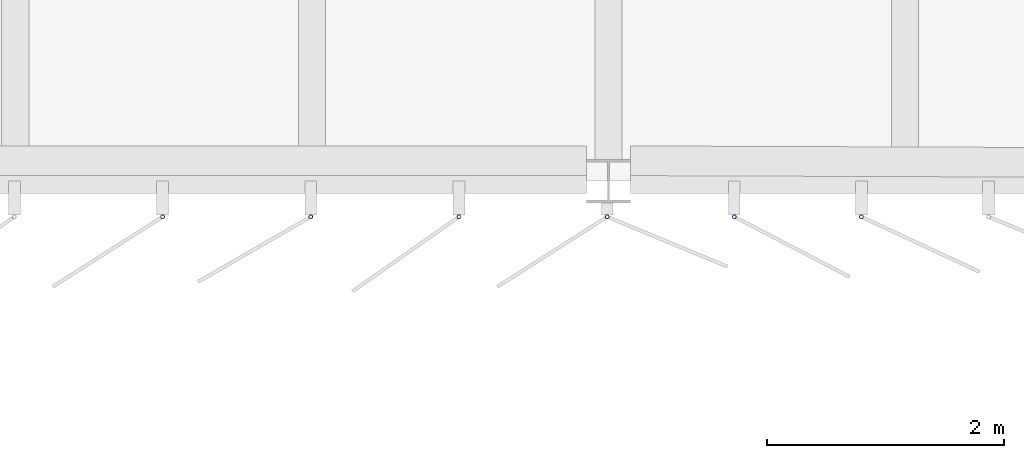
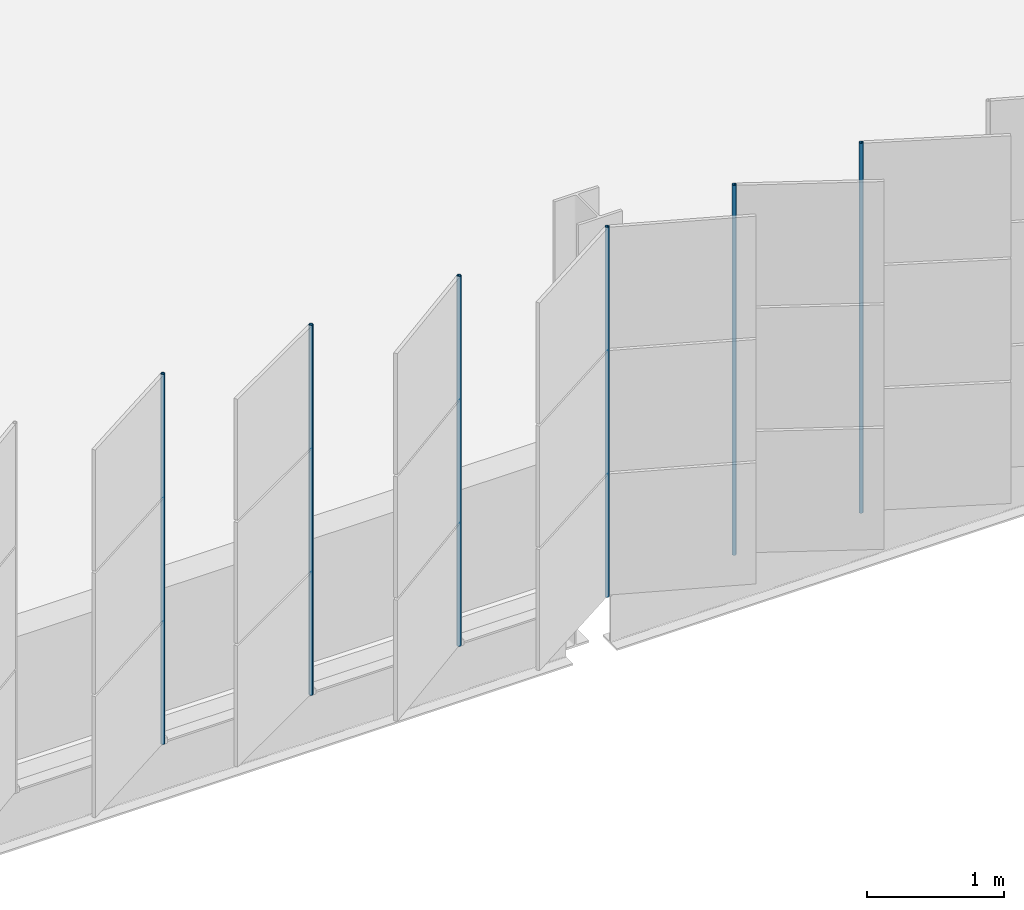
# One storey, part 81 of 199: 6 discrete accessories.
"""IFC4 building model written with IfcOpenShell, lengths in metres."""

import ifcopenshell
import ifcopenshell.guid

model = None  # the IFC model being written
_history = None  # IfcOwnerHistory: only IFC2X3 demands one
_inside = {}  # id of a spatial element -> (the spatial element, [elements in it])
_under = {}  # id of a project, library or spatial element -> (it, [spatial elements below it])
_declared = {}  # id of a project -> (the project, [libraries it declares])
_typed = {}  # id of a type object -> (the type object, [elements of that type])
_made_of = {}  # id of a material, layer set ... -> (it, [elements and type objects made of it])


def new_model(schema):
    """Start an empty IFC model of exactly this schema.

    Asked for "IFC4X3", IfcOpenShell would pick the latest addendum, in which some entities
    have other attributes; the version numbers below select the first issue.
    IFC2X3 requires an IfcOwnerHistory on every rooted entity: one is made here for all.
    """
    global model, _history
    if schema == "IFC4X3":
        model = ifcopenshell.file(schema_version=(4, 3, 0, 0))
    else:
        model = ifcopenshell.file(schema=schema)
    _inside.clear()
    _under.clear()
    _declared.clear()
    _typed.clear()
    _made_of.clear()
    _history = None
    if model.schema == "IFC2X3":
        org = make("IfcOrganization", Name="unknown")
        user = make(
            "IfcPersonAndOrganization",
            ThePerson=make("IfcPerson", FamilyName="unknown"),
            TheOrganization=org,
        )
        app = make(
            "IfcApplication",
            ApplicationDeveloper=org,
            Version="unknown",
            ApplicationFullName="unknown",
            ApplicationIdentifier="unknown",
        )
        _history = make(
            "IfcOwnerHistory",
            OwningUser=user,
            OwningApplication=app,
            ChangeAction="ADDED",
            CreationDate=0,
        )
    return model


def make(cls, **values):
    """One entity of the class cls with the attributes given. An attribute that is None is left unset."""
    return model.create_entity(
        cls, **{name: value for name, value in values.items() if value is not None}
    )


def rooted(cls, **values):
    """An entity with a GlobalId (a new one), such as an element, a storey or a relation."""
    return make(cls, GlobalId=ifcopenshell.guid.new(), OwnerHistory=_history, **values)


def si_unit(unit_type, name, prefix=None):
    """IfcSIUnit, for example si_unit("LENGTHUNIT", "METRE", prefix="MILLI")."""
    return make("IfcSIUnit", UnitType=unit_type, Prefix=prefix, Name=name)


def assignment(units):
    """IfcUnitAssignment: the units of a project."""
    return None if units is None else make("IfcUnitAssignment", Units=units)


def point(xyz):
    """IfcCartesianPoint."""
    return None if xyz is None else make("IfcCartesianPoint", Coordinates=xyz)


def direction(xyz):
    """IfcDirection."""
    return None if xyz is None else make("IfcDirection", DirectionRatios=xyz)


def frame(location, z_axis=None, x_axis=None):
    """IfcAxis2Placement3D, a coordinate frame: its origin and axes. An axis left out is left unset."""
    return make(
        "IfcAxis2Placement3D",
        Location=point(location),
        Axis=direction(z_axis),
        RefDirection=direction(x_axis),
    )


def frame_2d(location, x_axis=None):
    """IfcAxis2Placement2D, a coordinate frame in the plane: its origin and x axis."""
    return make(
        "IfcAxis2Placement2D", Location=point(location), RefDirection=direction(x_axis)
    )


def origin():
    """The frame at (0, 0, 0) with its axes left unset."""
    return frame((0.0, 0.0, 0.0))


def origin_2d():
    """The frame at (0, 0) in the plane with its x axis left unset."""
    return frame_2d((0.0, 0.0))


def place(relative_to, where):
    """IfcLocalPlacement: puts the frame where relative to a parent placement (None: the world)."""
    return make(
        "IfcLocalPlacement", PlacementRelTo=relative_to, RelativePlacement=where
    )


def context(
    kind, dimensions, precision=None, world=None, true_north=None, identifier=None
):
    """IfcGeometricRepresentationContext, for example the 3D "Model" context."""
    return make(
        "IfcGeometricRepresentationContext",
        ContextIdentifier=identifier,
        ContextType=kind,
        CoordinateSpaceDimension=dimensions,
        Precision=precision,
        WorldCoordinateSystem=world,
        TrueNorth=true_north,
    )


def subcontext(parent, identifier, kind, view, scale=None):
    """IfcGeometricRepresentationSubContext, for example "Body" below "Model"."""
    return make(
        "IfcGeometricRepresentationSubContext",
        ContextIdentifier=identifier,
        ContextType=kind,
        ParentContext=parent,
        TargetScale=scale,
        TargetView=view,
    )


def project(units=None, contexts=None):
    """IfcProject with its units and contexts."""
    return rooted(
        "IfcProject",
        Name="project",
        RepresentationContexts=contexts,
        UnitsInContext=assignment(units),
    )


def spatial(cls, under=None, at=None, **own):
    """A site, building, storey or space (cls), placed at a placement, below another one or the project."""
    s = rooted(cls, ObjectPlacement=at, **own)
    if under is not None:
        _under.setdefault(under.id(), (under, []))[1].append(s)
    return s


def profile(cls, at=None, kind="AREA", **sizes):
    """A parametric profile (cls). Its sizes go by their IFC names, for example OverallWidth=200.0."""
    return make(cls, ProfileType=kind, Position=at, **sizes)


def hollow_circle(**sizes):
    """IfcCircleHollowProfileDef."""
    return profile("IfcCircleHollowProfileDef", **sizes)


def extrude(swept, where, along, depth):
    """IfcExtrudedAreaSolid: the profile swept, set in the frame where, extruded along a direction by depth."""
    return make(
        "IfcExtrudedAreaSolid",
        SweptArea=swept,
        Position=where,
        ExtrudedDirection=direction(along),
        Depth=depth,
    )


def shape(context_of_items, identifier, shape_type, items):
    """IfcShapeRepresentation: the items that make up one representation, for example the "Body"."""
    return make(
        "IfcShapeRepresentation",
        ContextOfItems=context_of_items,
        RepresentationIdentifier=identifier,
        RepresentationType=shape_type,
        Items=items,
    )


def material(Name=None, Category=None):
    """IfcMaterial."""
    return make("IfcMaterial", Name=Name, Category=Category)


def material_profile(
    of_material, cross_section, Name=None, Category=None, Priority=None
):
    """IfcMaterialProfile: a cross section and its material."""
    return make(
        "IfcMaterialProfile",
        Name=Name,
        Material=of_material,
        Profile=cross_section,
        Priority=Priority,
        Category=Category,
    )


def profile_set(profiles, Name=None, composite=None):
    """IfcMaterialProfileSet."""
    return make(
        "IfcMaterialProfileSet",
        Name=Name,
        MaterialProfiles=profiles,
        CompositeProfile=composite,
    )


def made_of(thing, what):
    """Note that an element or type object is made of a material, layer set ...; save() writes the relation."""
    if what is not None:
        _made_of.setdefault(what.id(), (what, []))[1].append(thing)
    return thing


def type_object(cls, material=None, **own):
    """A type object (cls), such as IfcWallType, which elements share."""
    return made_of(rooted(cls, **own), material)


def element(
    cls,
    number,
    at=None,
    inside=None,
    cuts=None,
    type_object=None,
    material=None,
    context=None,
    identifier="Body",
    shape_type=None,
    held_by="IfcProductDefinitionShape",
    body=None,
    shapes=None,
    **own,
):
    """One element of the class cls, such as IfcWall. Its Tag is "e" and its number.

    at: its placement. inside: the storey or other place that contains it. cuts: it is an
    opening in that element (IfcRelVoidsElement). A single representation is given by context,
    identifier, shape_type and body (its items); several are given by shapes. held_by: the class
    of the entity that holds the representations. save() writes the other relations.
    """
    e = rooted(cls, Tag="e%d" % number, ObjectPlacement=at, **own)
    if body is not None:
        shapes = [shape(context, identifier, shape_type, body)]
    if shapes is not None:
        e.Representation = make(held_by, Representations=shapes)
    if inside is not None:
        _inside.setdefault(inside.id(), (inside, []))[1].append(e)
    if cuts is not None:
        rooted(
            "IfcRelVoidsElement", RelatingBuildingElement=cuts, RelatedOpeningElement=e
        )
    if type_object is not None:
        _typed.setdefault(type_object.id(), (type_object, []))[1].append(e)
    return made_of(e, material)


def aggregate(whole, parts):
    """IfcRelAggregates: a whole, such as a stair, and the parts it consists of."""
    return rooted("IfcRelAggregates", RelatingObject=whole, RelatedObjects=parts)


def save(model, path):
    """Write the relations noted so far, then the file.

    IfcRelAggregates (storeys below a building ...), IfcRelContainedInSpatialStructure (elements
    in a storey), IfcRelDefinesByType, IfcRelAssociatesMaterial and IfcRelDeclares: one each for
    every whole, place, type object, material and project.
    """
    for whole, parts in _under.values():
        aggregate(whole, parts)
    for where, things in _inside.values():
        rooted(
            "IfcRelContainedInSpatialStructure",
            RelatedElements=things,
            RelatingStructure=where,
        )
    for kind, things in _typed.values():
        rooted("IfcRelDefinesByType", RelatedObjects=things, RelatingType=kind)
    for what, things in _made_of.values():
        rooted("IfcRelAssociatesMaterial", RelatedObjects=things, RelatingMaterial=what)
    for by, libraries in _declared.values():
        rooted("IfcRelDeclares", RelatingContext=by, RelatedDefinitions=libraries)
    model.write(path)


model = new_model("IFC4")

# Units and contexts
model_context = context("Model", 3, precision=1e-05, world=origin(), true_north=direction((0.0, 1.0)))
body_context = subcontext(model_context, "Body", "Model", "MODEL_VIEW")
ifc_project = project(units=[si_unit("LENGTHUNIT", "METRE"), si_unit("AREAUNIT", "SQUARE_METRE"), si_unit("VOLUMEUNIT", "CUBIC_METRE"), si_unit("PLANEANGLEUNIT", "RADIAN"), si_unit("MASSUNIT", "GRAM", prefix="KILO")], contexts=[model_context])

# Site, building, storey
site_placement = place(None, origin())
site = spatial("IfcSite", under=ifc_project, at=site_placement, CompositionType="ELEMENT")
building_placement = place(site_placement, origin())
building = spatial("IfcBuilding", under=site, at=building_placement, Name="Parallax Yard Mobility Hub", CompositionType="ELEMENT")
storey_placement = place(building_placement, frame((0.0, 0.0, 9.89990234375)))
storey = spatial("IfcBuildingStorey", under=building, at=storey_placement, Name="L03", CompositionType="ELEMENT", Elevation=9.89990234375)

# Discrete accessories
ifc_material = material(Name="Steel ASTM A500 Gr C, hot-dip galvanised", Category="steel")
ifc_material_profile = material_profile(ifc_material, hollow_circle(Radius=0.016845703125, WallThickness=0.003173828125, at=origin_2d()), Name="CHS 33.7x3.2")
ifc_profile_set = profile_set([ifc_material_profile], Name="Steel ASTM A500 Gr C, hot-dip galvanised")
discrete_accessory_type = type_object("IfcDiscreteAccessoryType", Name="Hinge post CHS 33.7x3.2", PredefinedType="BRACKET", material=ifc_profile_set)
for number, where, z_axis, x_axis, name in (
    (1, (86.24169921875, 112.199951171875, 0.0), (0.0, 0.0, 1.0), (1.0, 0.0, 0.0), "Hinge post bay 7.4 level L03"),
    (2, (87.490966796875, 112.199951171875, 0.0), (0.0, 0.0, 1.0), (1.0, 0.0, 0.0), "Hinge post bay 7.5 level L03"),
    (3, (88.739990234375, 112.199951171875, 0.0), (0.0, 0.0, 1.0), (1.0, 0.0, 0.0), "Hinge post bay 7.6 level L03"),
    (4, (89.989501953125, 112.199951171875, 0.0), (0.0, 0.0, 1.0), (1.0, 0.0, 0.0), "Hinge post bay 8.1 level L03"),
    (5, (91.060791015625, 112.199951171875, 0.0), (0.0, 0.0, 1.0), (1.0, 0.0, 0.0), "Hinge post bay 8.2 level L03"),
    (6, (92.13232421875, 112.199951171875, 0.0), (0.0, 0.0, 1.0), (1.0, 0.0, 0.0), "Hinge post bay 8.3 level L03"),
):
    element("IfcDiscreteAccessory", number, at=place(storey_placement, frame(where, z_axis=z_axis, x_axis=x_axis)), inside=storey, type_object=discrete_accessory_type, Name=name, PredefinedType="BRACKET", context=body_context, shape_type="SweptSolid", body=[
        extrude(hollow_circle(Radius=0.016845703125, WallThickness=0.003173828125, at=origin_2d()), origin(), (0.0, 0.0, 1.0), 3.300048828125),
    ])

save(model, "model.ifc")
